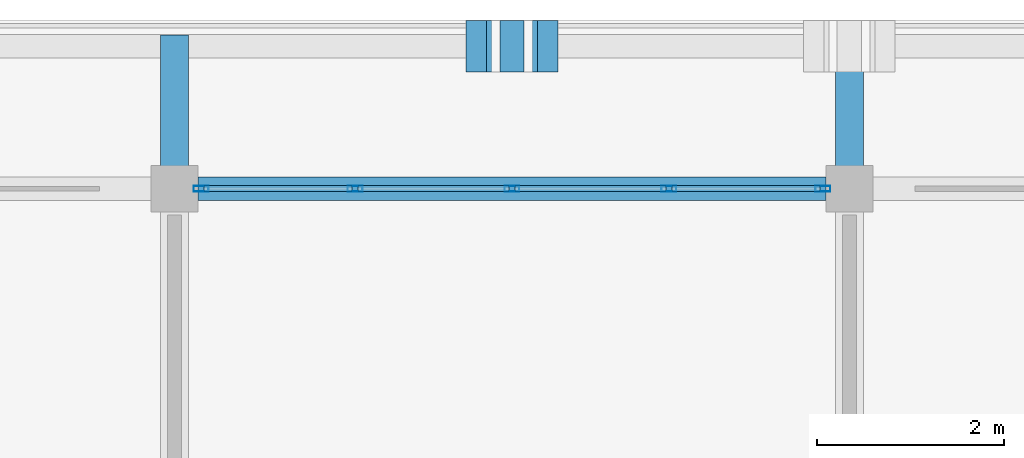
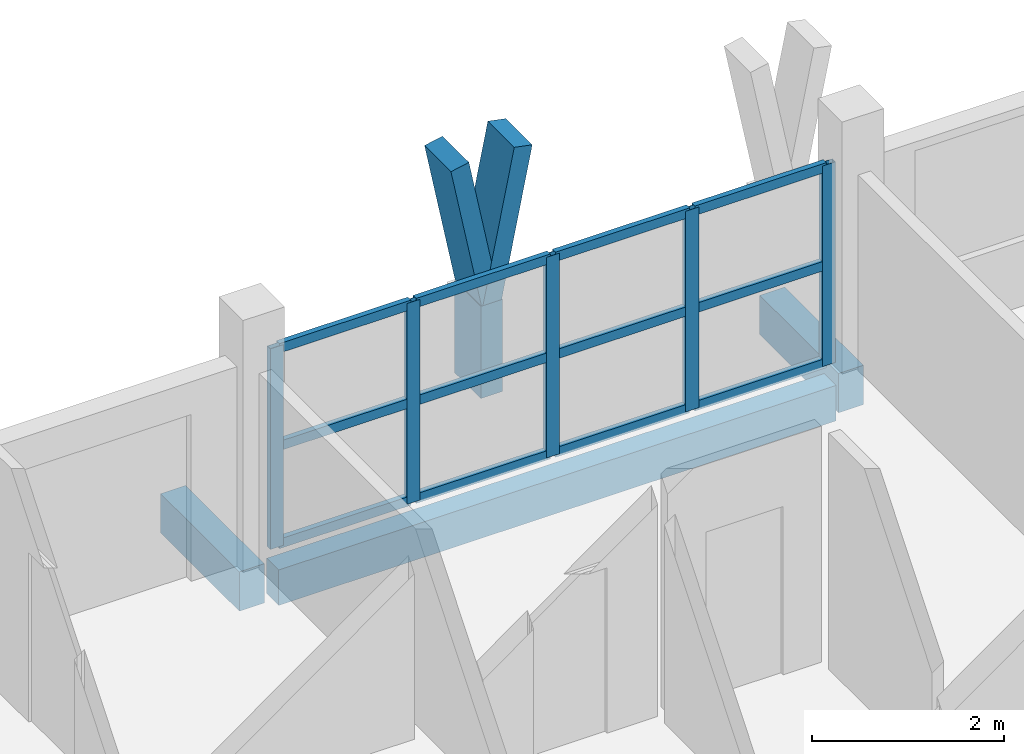
# One storey, part 2 of 9: 20 members, 3 beams, 1 element without a shape of its own.
"""IFC4 building model written with IfcOpenShell, lengths in metres."""

from ifc_helpers import new_model, si_unit, direction, frame, origin, origin_2d, place, context, subcontext, project, spatial, rectangle, hollow_rectangle, extrude, material, material_profile, profile_set, type_object, element, aggregate, save


model = new_model("IFC4")

# Units and contexts
model_context = context("Model", 3, precision=1e-05, world=origin(), true_north=direction((0.0, 1.0)))
body_context = subcontext(model_context, "Body", "Model", "MODEL_VIEW")
ifc_project = project(units=[si_unit("LENGTHUNIT", "METRE"), si_unit("AREAUNIT", "SQUARE_METRE"), si_unit("VOLUMEUNIT", "CUBIC_METRE"), si_unit("PLANEANGLEUNIT", "RADIAN"), si_unit("MASSUNIT", "GRAM", prefix="KILO")], contexts=[model_context])

# Site, building, storey
site_placement = place(None, origin())
site = spatial("IfcSite", under=ifc_project, at=site_placement, CompositionType="ELEMENT")
building_placement = place(site_placement, origin())
building = spatial("IfcBuilding", under=site, at=building_placement, Name="Suanplinth Sawtooth Commons", CompositionType="ELEMENT")
storey_placement = place(building_placement, frame((0.0, 0.0, 47.699951171875)))
storey = spatial("IfcBuildingStorey", under=building, at=storey_placement, Name="L14", CompositionType="ELEMENT", Elevation=47.699951171875)

# Beams
ifc_material_1 = material(Name="Precast concrete C40/50", Category="concrete")
ifc_material_profile_1 = material_profile(ifc_material_1, rectangle(XDim=0.300048828125, YDim=0.5, at=origin_2d()), Name="PC-BM 300x500")
ifc_profile_set_1 = profile_set([ifc_material_profile_1], Name="Precast concrete C40/50")
beam_type_1 = type_object("IfcBeamType", Name="B-07", PredefinedType="BEAM", material=ifc_profile_set_1)
for number, where, z_axis, x_axis, name in (
    (1, (50.39990234375, 122.39990234375, -0.429931640625), (0.0, 1.0, 0.0), (-1.0, 0.0, 0.0), "Balcony Outrigger L14-A-N-7"),
    (2, (57.60009765625, 122.39990234375, -0.429931640625), (0.0, 1.0, 0.0), (-1.0, 0.0, 0.0), "Balcony Outrigger L14-A-N-8"),
):
    element("IfcBeam", number, at=place(storey_placement, frame(where, z_axis=z_axis, x_axis=x_axis)), inside=storey, type_object=beam_type_1, Name=name, PredefinedType="BEAM", context=body_context, shape_type="SweptSolid", body=[
        extrude(rectangle(XDim=0.300048828125, YDim=0.5, at=origin_2d()), origin(), (0.0, 0.0, 1.0), 1.64013671875),
    ])
ifc_material_profile_2 = material_profile(ifc_material_1, rectangle(XDim=0.25, YDim=0.449951171875, at=origin_2d()), Name="PC-SP 250x450")
ifc_profile_set_2 = profile_set([ifc_material_profile_2], Name="Precast concrete C40/50")
beam_type_2 = type_object("IfcBeamType", Name="B-09", PredefinedType="SPANDREL", material=ifc_profile_set_2)
beam_placement = place(storey_placement, frame((50.64990234375, 122.39990234375, -0.445068359375), z_axis=(1.0, 0.0, 0.0), x_axis=(0.0, 1.0, 0.0)))
element("IfcBeam", 3, at=beam_placement, inside=storey, type_object=beam_type_2, Name="BMX-L14-A-7-17", PredefinedType="SPANDREL", context=body_context, shape_type="SweptSolid", body=[
    extrude(rectangle(XDim=0.25, YDim=0.449951171875, at=origin_2d()), origin(), (0.0, 0.0, 1.0), 6.7001953125),
])

# Members
ifc_material_2 = material(Name="Pigmented precast concrete C40/50", Category="concrete")
ifc_material_profile_3 = material_profile(ifc_material_2, rectangle(XDim=0.260009765625, YDim=0.550048828125, at=origin_2d()), Name="PC-FIN 260x550")
ifc_profile_set_3 = profile_set([ifc_material_profile_3], Name="Pigmented precast concrete C40/50")
member_type_1 = type_object("IfcMemberType", Name="M-09", PredefinedType="USERDEFINED", material=ifc_profile_set_3)
member_1_placement = place(storey_placement, frame((54.0, 123.919921875, 0.0), z_axis=(0.0, 0.0, 1.0), x_axis=(1.0, 0.0, 0.0)))
element("IfcMember", 4, at=member_1_placement, inside=storey, type_object=member_type_1, Name="Y-Blade Stem L14-A-N-01", ObjectType="SHADING FIN", PredefinedType="USERDEFINED", context=body_context, shape_type="SweptSolid", body=[
    extrude(rectangle(XDim=0.260009765625, YDim=0.550048828125, at=origin_2d()), origin(), (0.0, 0.0, 1.0), 1.170166015625),
])
ifc_material_profile_4 = material_profile(ifc_material_2, rectangle(XDim=0.219970703125, YDim=0.550048828125, at=origin_2d()), Name="PC-FIN 220x550")
ifc_profile_set_4 = profile_set([ifc_material_profile_4], Name="Pigmented precast concrete C40/50")
member_type_2 = type_object("IfcMemberType", Name="M-10", PredefinedType="USERDEFINED", material=ifc_profile_set_4)
for number, where, z_axis, x_axis, name in (
    (5, (54.0, 123.919921875, 1.130126953125), (-0.196431120402, 0.0, 0.980517626021), (0.980517626021, 0.0, 0.196431120402), "Y-Blade Arm L L14-A-N-01"),
    (6, (54.0, 123.919921875, 1.130126953125), (0.196431120402, 0.0, 0.980517626021), (-0.980517626021, 0.0, 0.196431120402), "Y-Blade Arm R L14-A-N-01"),
):
    element("IfcMember", number, at=place(storey_placement, frame(where, z_axis=z_axis, x_axis=x_axis)), inside=storey, type_object=member_type_2, Name=name, ObjectType="SHADING FIN", PredefinedType="USERDEFINED", context=body_context, shape_type="SweptSolid", body=[
        extrude(rectangle(XDim=0.219970703125, YDim=0.550048828125, at=origin_2d()), origin(), (0.0, 0.0, 1.0), 1.937744140625),
    ])

# Curtain wall, members
ifc_material_3 = material(Name="Anodized aluminium and low-E glazing", Category="aluminium")
curtain_wall_type = type_object("IfcCurtainWallType", Name="CW-06", PredefinedType="USERDEFINED", material=ifc_material_3)
curtain_wall_placement = place(storey_placement, origin())
curtain_wall = element("IfcCurtainWall", 7, at=curtain_wall_placement, inside=storey, type_object=curtain_wall_type, Name="Curtain Wall CW-L14-A-LOUNGE-2", ObjectType="CURTAIN WALL", PredefinedType="USERDEFINED")
ifc_material_4 = material(Name="Anodized aluminium 6063-T6", Category="aluminium")
ifc_material_profile_5 = material_profile(ifc_material_4, hollow_rectangle(XDim=0.06494140625, YDim=0.159912109375, WallThickness=0.00390625, at=origin_2d()), Name="ALU-MUL 65x160")
ifc_profile_set_5 = profile_set([ifc_material_profile_5], Name="Anodized aluminium 6063-T6")
member_type_3 = type_object("IfcMemberType", Name="M-13", PredefinedType="MULLION", material=ifc_profile_set_5)
member_2_placement = place(storey_placement, frame((50.6826171875, 122.39990234375, 0.0), z_axis=(0.0, 0.0, 1.0), x_axis=(0.0, 1.0, 0.0)))
member_2 = element("IfcMember", 8, at=member_2_placement, type_object=member_type_3, Name="CW-06 mullion 1", PredefinedType="MULLION", context=body_context, shape_type="SweptSolid", body=[
    extrude(hollow_rectangle(XDim=0.06494140625, YDim=0.159912109375, WallThickness=0.00390625, at=origin_2d()), origin(), (0.0, 0.0, 1.0), 2.550048828125),
])
member_3_placement = place(storey_placement, frame((52.324951171875, 122.39990234375, 0.0), z_axis=(0.0, 0.0, 1.0), x_axis=(0.0, 1.0, 0.0)))
member_3 = element("IfcMember", 9, at=member_3_placement, type_object=member_type_3, Name="CW-06 mullion 2", PredefinedType="MULLION", context=body_context, shape_type="SweptSolid", body=[
    extrude(hollow_rectangle(XDim=0.06494140625, YDim=0.159912109375, WallThickness=0.00390625, at=origin_2d()), origin(), (0.0, 0.0, 1.0), 2.550048828125),
])
member_4_placement = place(storey_placement, frame((54.0, 122.39990234375, 0.0), z_axis=(0.0, 0.0, 1.0), x_axis=(0.0, 1.0, 0.0)))
member_4 = element("IfcMember", 10, at=member_4_placement, type_object=member_type_3, Name="CW-06 mullion 3", PredefinedType="MULLION", context=body_context, shape_type="SweptSolid", body=[
    extrude(hollow_rectangle(XDim=0.06494140625, YDim=0.159912109375, WallThickness=0.00390625, at=origin_2d()), origin(), (0.0, 0.0, 1.0), 2.550048828125),
])
member_5_placement = place(storey_placement, frame((55.675048828125, 122.39990234375, 0.0), z_axis=(0.0, 0.0, 1.0), x_axis=(0.0, 1.0, 0.0)))
member_5 = element("IfcMember", 11, at=member_5_placement, type_object=member_type_3, Name="CW-06 mullion 4", PredefinedType="MULLION", context=body_context, shape_type="SweptSolid", body=[
    extrude(hollow_rectangle(XDim=0.06494140625, YDim=0.159912109375, WallThickness=0.00390625, at=origin_2d()), origin(), (0.0, 0.0, 1.0), 2.550048828125),
])
member_6_placement = place(storey_placement, frame((57.3173828125, 122.39990234375, 0.0), z_axis=(0.0, 0.0, 1.0), x_axis=(0.0, 1.0, 0.0)))
member_6 = element("IfcMember", 12, at=member_6_placement, type_object=member_type_3, Name="CW-06 mullion 5", PredefinedType="MULLION", context=body_context, shape_type="SweptSolid", body=[
    extrude(hollow_rectangle(XDim=0.06494140625, YDim=0.159912109375, WallThickness=0.00390625, at=origin_2d()), origin(), (0.0, 0.0, 1.0), 2.550048828125),
])
ifc_material_profile_6 = material_profile(ifc_material_4, hollow_rectangle(XDim=0.06494140625, YDim=0.1201171875, WallThickness=0.00390625, at=origin_2d()), Name="ALU-TRN 65x120")
ifc_profile_set_6 = profile_set([ifc_material_profile_6], Name="Anodized aluminium 6063-T6")
member_type_4 = type_object("IfcMemberType", Name="M-15", PredefinedType="USERDEFINED", material=ifc_profile_set_6)
member_7_placement = place(storey_placement, frame((50.715087890625, 122.39990234375, 0.032470703125), z_axis=(1.0, 0.0, 0.0), x_axis=(0.0, 1.0, 0.0)))
member_7 = element("IfcMember", 13, at=member_7_placement, type_object=member_type_4, Name="CW-06 transom 1.1", ObjectType="TRANSOM", PredefinedType="USERDEFINED", context=body_context, shape_type="SweptSolid", body=[
    extrude(hollow_rectangle(XDim=0.06494140625, YDim=0.1201171875, WallThickness=0.00390625, at=origin_2d()), origin(), (0.0, 0.0, 1.0), 1.577392578125),
])
member_8_placement = place(storey_placement, frame((50.715087890625, 122.39990234375, 1.275146484375), z_axis=(1.0, 0.0, 0.0), x_axis=(0.0, 1.0, 0.0)))
member_8 = element("IfcMember", 14, at=member_8_placement, type_object=member_type_4, Name="CW-06 transom 1.2", ObjectType="TRANSOM", PredefinedType="USERDEFINED", context=body_context, shape_type="SweptSolid", body=[
    extrude(hollow_rectangle(XDim=0.06494140625, YDim=0.1201171875, WallThickness=0.00390625, at=origin_2d()), origin(), (0.0, 0.0, 1.0), 1.577392578125),
])
member_9_placement = place(storey_placement, frame((50.715087890625, 122.39990234375, 2.517578125), z_axis=(1.0, 0.0, 0.0), x_axis=(0.0, 1.0, 0.0)))
member_9 = element("IfcMember", 15, at=member_9_placement, type_object=member_type_4, Name="CW-06 transom 1.3", ObjectType="TRANSOM", PredefinedType="USERDEFINED", context=body_context, shape_type="SweptSolid", body=[
    extrude(hollow_rectangle(XDim=0.06494140625, YDim=0.1201171875, WallThickness=0.00390625, at=origin_2d()), origin(), (0.0, 0.0, 1.0), 1.577392578125),
])
member_10_placement = place(storey_placement, frame((52.357421875, 122.39990234375, 0.032470703125), z_axis=(1.0, 0.0, 0.0), x_axis=(0.0, 1.0, 0.0)))
member_10 = element("IfcMember", 16, at=member_10_placement, type_object=member_type_4, Name="CW-06 transom 2.1", ObjectType="TRANSOM", PredefinedType="USERDEFINED", context=body_context, shape_type="SweptSolid", body=[
    extrude(hollow_rectangle(XDim=0.06494140625, YDim=0.1201171875, WallThickness=0.00390625, at=origin_2d()), origin(), (0.0, 0.0, 1.0), 1.610107421875),
])
member_11_placement = place(storey_placement, frame((52.357421875, 122.39990234375, 1.275146484375), z_axis=(1.0, 0.0, 0.0), x_axis=(0.0, 1.0, 0.0)))
member_11 = element("IfcMember", 17, at=member_11_placement, type_object=member_type_4, Name="CW-06 transom 2.2", ObjectType="TRANSOM", PredefinedType="USERDEFINED", context=body_context, shape_type="SweptSolid", body=[
    extrude(hollow_rectangle(XDim=0.06494140625, YDim=0.1201171875, WallThickness=0.00390625, at=origin_2d()), origin(), (0.0, 0.0, 1.0), 1.610107421875),
])
member_12_placement = place(storey_placement, frame((52.357421875, 122.39990234375, 2.517578125), z_axis=(1.0, 0.0, 0.0), x_axis=(0.0, 1.0, 0.0)))
member_12 = element("IfcMember", 18, at=member_12_placement, type_object=member_type_4, Name="CW-06 transom 2.3", ObjectType="TRANSOM", PredefinedType="USERDEFINED", context=body_context, shape_type="SweptSolid", body=[
    extrude(hollow_rectangle(XDim=0.06494140625, YDim=0.1201171875, WallThickness=0.00390625, at=origin_2d()), origin(), (0.0, 0.0, 1.0), 1.610107421875),
])
member_13_placement = place(storey_placement, frame((54.032470703125, 122.39990234375, 0.032470703125), z_axis=(1.0, 0.0, 0.0), x_axis=(0.0, 1.0, 0.0)))
member_13 = element("IfcMember", 19, at=member_13_placement, type_object=member_type_4, Name="CW-06 transom 3.1", ObjectType="TRANSOM", PredefinedType="USERDEFINED", context=body_context, shape_type="SweptSolid", body=[
    extrude(hollow_rectangle(XDim=0.06494140625, YDim=0.1201171875, WallThickness=0.00390625, at=origin_2d()), origin(), (0.0, 0.0, 1.0), 1.610107421875),
])
member_14_placement = place(storey_placement, frame((54.032470703125, 122.39990234375, 1.275146484375), z_axis=(1.0, 0.0, 0.0), x_axis=(0.0, 1.0, 0.0)))
member_14 = element("IfcMember", 20, at=member_14_placement, type_object=member_type_4, Name="CW-06 transom 3.2", ObjectType="TRANSOM", PredefinedType="USERDEFINED", context=body_context, shape_type="SweptSolid", body=[
    extrude(hollow_rectangle(XDim=0.06494140625, YDim=0.1201171875, WallThickness=0.00390625, at=origin_2d()), origin(), (0.0, 0.0, 1.0), 1.610107421875),
])
member_15_placement = place(storey_placement, frame((54.032470703125, 122.39990234375, 2.517578125), z_axis=(1.0, 0.0, 0.0), x_axis=(0.0, 1.0, 0.0)))
member_15 = element("IfcMember", 21, at=member_15_placement, type_object=member_type_4, Name="CW-06 transom 3.3", ObjectType="TRANSOM", PredefinedType="USERDEFINED", context=body_context, shape_type="SweptSolid", body=[
    extrude(hollow_rectangle(XDim=0.06494140625, YDim=0.1201171875, WallThickness=0.00390625, at=origin_2d()), origin(), (0.0, 0.0, 1.0), 1.610107421875),
])
member_16_placement = place(storey_placement, frame((55.70751953125, 122.39990234375, 0.032470703125), z_axis=(1.0, 0.0, 0.0), x_axis=(0.0, 1.0, 0.0)))
member_16 = element("IfcMember", 22, at=member_16_placement, type_object=member_type_4, Name="CW-06 transom 4.1", ObjectType="TRANSOM", PredefinedType="USERDEFINED", context=body_context, shape_type="SweptSolid", body=[
    extrude(hollow_rectangle(XDim=0.06494140625, YDim=0.1201171875, WallThickness=0.00390625, at=origin_2d()), origin(), (0.0, 0.0, 1.0), 1.577392578125),
])
member_17_placement = place(storey_placement, frame((55.70751953125, 122.39990234375, 1.275146484375), z_axis=(1.0, 0.0, 0.0), x_axis=(0.0, 1.0, 0.0)))
member_17 = element("IfcMember", 23, at=member_17_placement, type_object=member_type_4, Name="CW-06 transom 4.2", ObjectType="TRANSOM", PredefinedType="USERDEFINED", context=body_context, shape_type="SweptSolid", body=[
    extrude(hollow_rectangle(XDim=0.06494140625, YDim=0.1201171875, WallThickness=0.00390625, at=origin_2d()), origin(), (0.0, 0.0, 1.0), 1.577392578125),
])
member_18_placement = place(storey_placement, frame((55.70751953125, 122.39990234375, 2.517578125), z_axis=(1.0, 0.0, 0.0), x_axis=(0.0, 1.0, 0.0)))
member_18 = element("IfcMember", 24, at=member_18_placement, type_object=member_type_4, Name="CW-06 transom 4.3", ObjectType="TRANSOM", PredefinedType="USERDEFINED", context=body_context, shape_type="SweptSolid", body=[
    extrude(hollow_rectangle(XDim=0.06494140625, YDim=0.1201171875, WallThickness=0.00390625, at=origin_2d()), origin(), (0.0, 0.0, 1.0), 1.577392578125),
])
aggregate(curtain_wall, [member_2, member_3, member_4, member_5, member_6, member_7, member_8, member_9, member_10, member_11, member_12, member_13, member_14, member_15, member_16, member_17, member_18])

save(model, "model.ifc")
